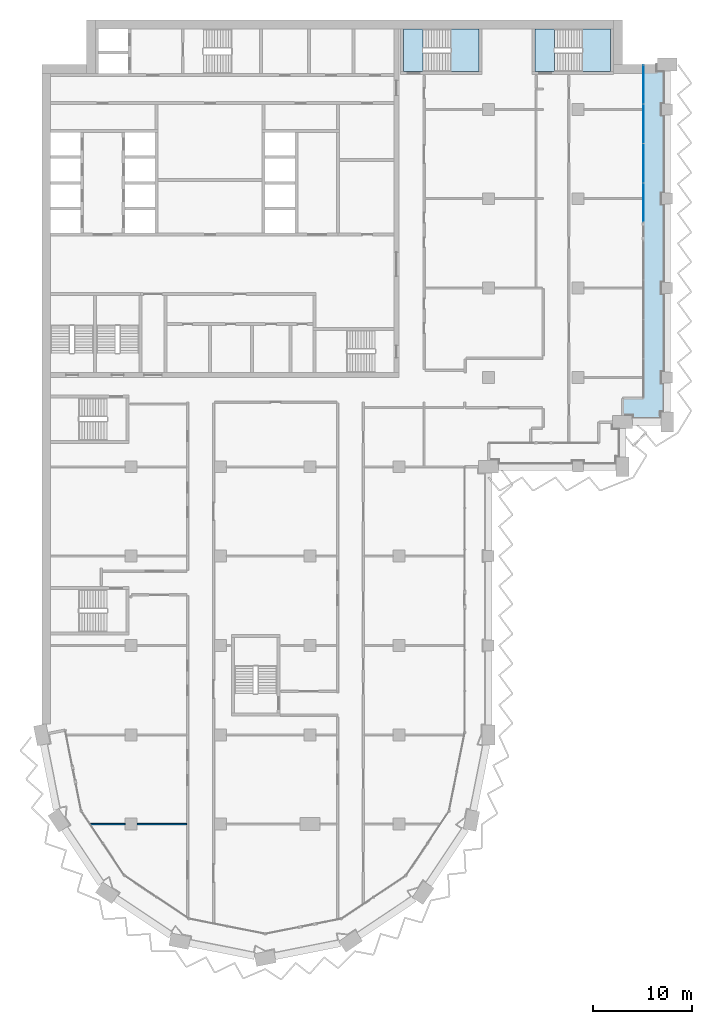
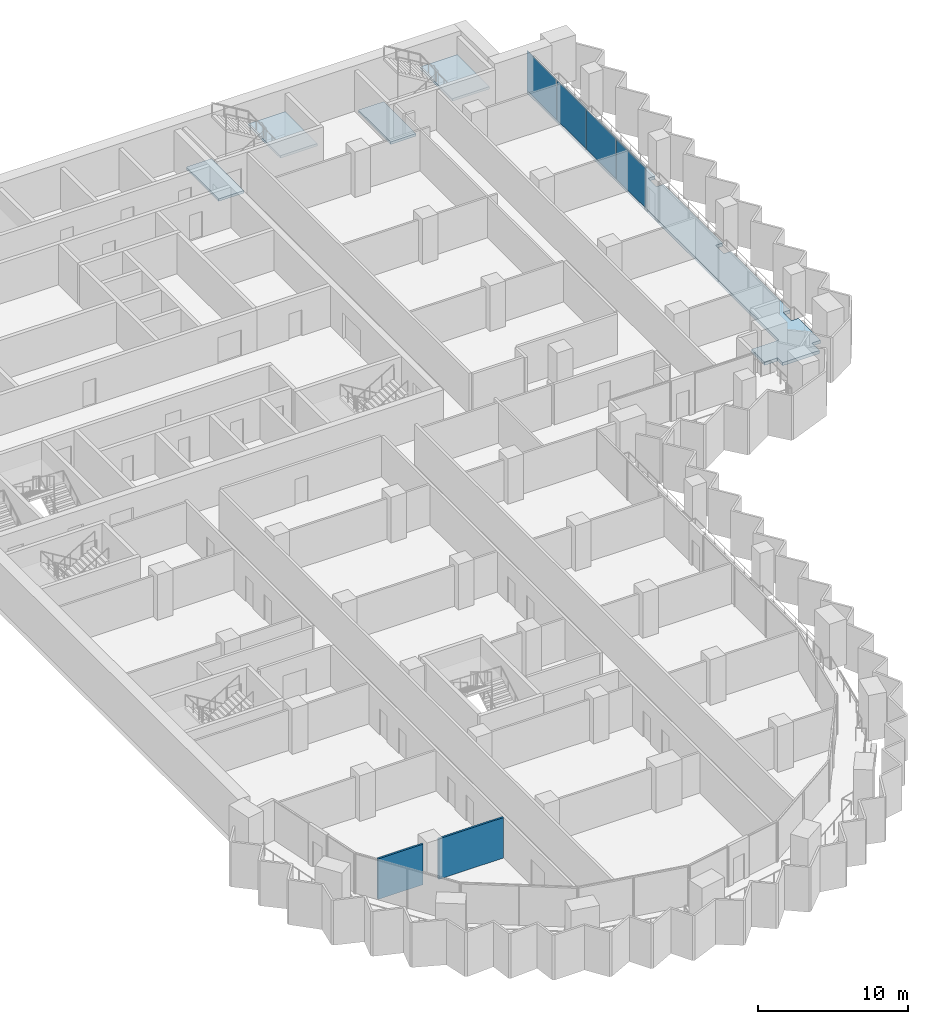
# One storey, part 7 of 22: 5 slabs, 4 plates, 2 walls, 3 elements without a shape of their own.
"""IFC4 building model written with IfcOpenShell, lengths in metres."""

from ifc_helpers import new_model, si_unit, direction, frame, frame_2d, origin, origin_2d, place, context, subcontext, project, spatial, polyline, rectangle, outline, extrude, material, layer, layer_set, type_object, element, aggregate, save


model = new_model("IFC4")

# Units and contexts
model_context = context("Model", 3, precision=1e-05, world=origin(), true_north=direction((0.0, 1.0)))
body_context = subcontext(model_context, "Body", "Model", "MODEL_VIEW")
ifc_project = project(units=[si_unit("LENGTHUNIT", "METRE"), si_unit("AREAUNIT", "SQUARE_METRE"), si_unit("VOLUMEUNIT", "CUBIC_METRE"), si_unit("PLANEANGLEUNIT", "RADIAN"), si_unit("MASSUNIT", "GRAM", prefix="KILO")], contexts=[model_context])

# Site, building, storey
site_placement = place(None, origin())
site = spatial("IfcSite", under=ifc_project, at=site_placement, CompositionType="ELEMENT")
building_placement = place(site_placement, origin())
building = spatial("IfcBuilding", under=site, at=building_placement, Name="Hunhe Ridgeline Campus", CompositionType="ELEMENT")
storey_placement = place(building_placement, frame((0.0, 0.0, 156.0)))
storey = spatial("IfcBuildingStorey", under=building, at=storey_placement, Name="L39", CompositionType="ELEMENT", Elevation=156.0)

# Curtain wall, plates
ifc_material_1 = material(Name="Aluminium 6063", Category="aluminium")
curtain_wall_type = type_object("IfcCurtainWallType", Name="Curtain wall CW-1", PredefinedType="NOTDEFINED", material=ifc_material_1)
curtain_wall_placement = place(storey_placement, origin())
curtain_wall = element("IfcCurtainWall", 1, at=curtain_wall_placement, inside=storey, type_object=curtain_wall_type, Name="Curtain wall 16", PredefinedType="NOTDEFINED")
ifc_material_2 = material(Name="Low-e laminated glass", Category="glass")
ifc_layer_1 = layer(ifc_material_2, 0.028076171875)
ifc_layer_set_1 = layer_set([ifc_layer_1], Name="Curtain wall glass panel 28 low-e laminated")
plate_type = type_object("IfcPlateType", Name="Curtain wall glass panel 28 low-e laminated", PredefinedType="CURTAIN_PANEL", material=ifc_layer_set_1)
plate_1_placement = place(storey_placement, frame((60.59912109375, 80.60302734375, 0.0), z_axis=(0.0, 0.0, 1.0), x_axis=(0.0, 1.0, 0.0)))
plate_1 = element("IfcPlate", 2, at=plate_1_placement, type_object=plate_type, Name="CW-1 panel 1", PredefinedType="CURTAIN_PANEL", context=body_context, shape_type="SweptSolid", body=[
    extrude(rectangle(XDim=3.884765625, YDim=0.028076171875, at=origin_2d()), origin(), (0.0, 0.0, 1.0), 3.239990234375),
])
plate_2_placement = place(storey_placement, frame((60.59912109375, 84.562744140625, 0.0), z_axis=(0.0, 0.0, 1.0), x_axis=(0.0, 1.0, 0.0)))
plate_2 = element("IfcPlate", 3, at=plate_2_placement, type_object=plate_type, Name="CW-1 panel 2", PredefinedType="CURTAIN_PANEL", context=body_context, shape_type="SweptSolid", body=[
    extrude(rectangle(XDim=3.914794921875, YDim=0.028076171875, at=origin_2d()), origin(), (0.0, 0.0, 1.0), 3.239990234375),
])
plate_3_placement = place(storey_placement, frame((60.59912109375, 88.53759765625, 0.0), z_axis=(0.0, 0.0, 1.0), x_axis=(0.0, 1.0, 0.0)))
plate_3 = element("IfcPlate", 4, at=plate_3_placement, type_object=plate_type, Name="CW-1 panel 3", PredefinedType="CURTAIN_PANEL", context=body_context, shape_type="SweptSolid", body=[
    extrude(rectangle(XDim=3.914794921875, YDim=0.028076171875, at=origin_2d()), origin(), (0.0, 0.0, 1.0), 3.239990234375),
])
plate_4_placement = place(storey_placement, frame((60.59912109375, 92.49755859375, 0.0), z_axis=(0.0, 0.0, 1.0), x_axis=(0.0, 1.0, 0.0)))
plate_4 = element("IfcPlate", 5, at=plate_4_placement, type_object=plate_type, Name="CW-1 panel 4", PredefinedType="CURTAIN_PANEL", context=body_context, shape_type="SweptSolid", body=[
    extrude(rectangle(XDim=3.884765625, YDim=0.028076171875, at=origin_2d()), origin(), (0.0, 0.0, 1.0), 3.239990234375),
])
aggregate(curtain_wall, [plate_1, plate_2, plate_3, plate_4])

# Slab
ifc_material_3 = material(Name="Concrete C40", Category="concrete")
ifc_layer_2 = layer(ifc_material_3, 0.25)
ifc_layer_set_2 = layer_set([ifc_layer_2], Name="Loggia slab 250 Concrete C40")
slab_type_1 = type_object("IfcSlabType", Name="Loggia slab 250 Concrete C40", PredefinedType="FLOOR", material=ifc_layer_set_2)
slab_1_placement = place(storey_placement, frame((0.0, 0.0, -0.25)))
element("IfcSlab", 6, at=slab_1_placement, inside=storey, type_object=slab_type_1, Name="Loggia slab 3", PredefinedType="FLOOR", context=body_context, shape_type="SweptSolid", body=[
    extrude(outline(polyline([(58.5, 59.14990234375), (59.5, 59.14990234375), (59.5, 58.5), (62.35009765625, 58.5), (62.35009765625, 59.5), (63.0, 59.5), (63.0, 62.449951171875), (62.449951171875, 62.449951171875), (62.449951171875, 63.550048828125), (63.0, 63.550048828125), (63.0, 71.449951171875), (62.449951171875, 71.449951171875), (62.449951171875, 72.550048828125), (63.0, 72.550048828125), (63.0, 80.449951171875), (62.449951171875, 80.449951171875), (62.449951171875, 81.550048828125), (63.0, 81.550048828125), (63.0, 89.449951171875), (62.449951171875, 89.449951171875), (62.449951171875, 90.550048828125), (63.0, 90.550048828125), (63.0, 93.85009765625), (62.0, 93.85009765625), (62.0, 94.5), (60.60009765625, 94.5), (60.60009765625, 60.89990234375), (58.5, 60.89990234375), (58.5, 59.14990234375)])), origin(), (0.0, 0.0, 1.0), 0.25),
])

# Stair, slab
stair_type = type_object("IfcStairType", Name="Reinforced concrete dog-leg stair 1950 Concrete C40", PredefinedType="HALF_TURN_STAIR", material=ifc_material_3)
stair_1_placement = place(storey_placement, origin())
stair_1 = element("IfcStair", 7, at=stair_1_placement, inside=storey, type_object=stair_type, Name="L39 E1", PredefinedType="HALF_TURN_STAIR")
ifc_layer_3 = layer(ifc_material_3, 0.199951171875)
ifc_layer_set_3 = layer_set([ifc_layer_3], Name="Reinforced concrete stair landing 200 Concrete C40")
slab_type_2 = type_object("IfcSlabType", Name="Reinforced concrete stair landing 200 Concrete C40", PredefinedType="LANDING", material=ifc_layer_set_3)
slab_2_placement = place(storey_placement, frame((0.0, 0.0, 1.64990234375)))
slab_2 = element("IfcSlab", 8, at=slab_2_placement, type_object=slab_type_2, Name="ST5 landing 1", PredefinedType="LANDING", context=body_context, shape_type="SweptSolid", body=[
    extrude(outline(polyline([(41.199951171875, 93.800048828125), (44.050048828125, 93.800048828125), (44.050048828125, 98.10009765625), (41.199951171875, 98.10009765625), (41.199951171875, 93.800048828125)])), origin(), (0.0, 0.0, 1.0), 0.2001953125),
])
aggregate(stair_1, [slab_2])

# Slab
slab_3_placement = place(storey_placement, frame((0.0, 0.0, -0.199951171875)))
element("IfcSlab", 9, at=slab_3_placement, inside=storey, type_object=slab_type_2, Name="L39 stair E1 floor landing", PredefinedType="LANDING", context=body_context, shape_type="SweptSolid", body=[
    extrude(outline(polyline([(36.449951171875, 93.800048828125), (38.39990234375, 93.800048828125), (38.39990234375, 98.10009765625), (36.449951171875, 98.10009765625), (36.449951171875, 93.800048828125)])), origin(), (0.0, 0.0, 1.0), 0.199951171875),
])

# Stair, slab
stair_2_placement = place(storey_placement, origin())
stair_2 = element("IfcStair", 10, at=stair_2_placement, inside=storey, type_object=stair_type, Name="L39 E2", PredefinedType="HALF_TURN_STAIR")
slab_4_placement = place(storey_placement, frame((0.0, 0.0, 1.64990234375)))
slab_4 = element("IfcSlab", 11, at=slab_4_placement, type_object=slab_type_2, Name="ST6 landing 1", PredefinedType="LANDING", context=body_context, shape_type="SweptSolid", body=[
    extrude(outline(polyline([(54.449951171875, 93.800048828125), (57.300048828125, 93.800048828125), (57.300048828125, 98.10009765625), (54.449951171875, 98.10009765625), (54.449951171875, 93.800048828125)])), origin(), (0.0, 0.0, 1.0), 0.2001953125),
])
aggregate(stair_2, [slab_4])

# Slab
slab_5_placement = place(storey_placement, frame((0.0, 0.0, -0.199951171875)))
element("IfcSlab", 12, at=slab_5_placement, inside=storey, type_object=slab_type_2, Name="L39 stair E2 floor landing", PredefinedType="LANDING", context=body_context, shape_type="SweptSolid", body=[
    extrude(outline(polyline([(49.699951171875, 93.800048828125), (51.64990234375, 93.800048828125), (51.64990234375, 98.10009765625), (49.699951171875, 98.10009765625), (49.699951171875, 93.800048828125)])), origin(), (0.0, 0.0, 1.0), 0.199951171875),
])

# Walls
ifc_material_4 = material(Name="Gypsum board partition")
ifc_layer_4 = layer(ifc_material_4, 0.14990234375)
ifc_layer_set_4 = layer_set([ifc_layer_4], Name="Room partition 150 gypsum board on steel studs")
wall_type = type_object("IfcWallType", Name="Room partition 150 gypsum board on steel studs", PredefinedType="PARTITIONING", material=ifc_layer_set_4)
wall_1_placement = place(storey_placement, frame((4.925537109375, 18.0, 0.0), z_axis=(0.0, 0.0, 1.0), x_axis=(1.0, 0.0, 0.0)))
element("IfcWall", 13, at=wall_1_placement, inside=storey, type_object=wall_type, Name="F-L39-wall-001", PredefinedType="PARTITIONING", context=body_context, shape_type="SweptSolid", body=[
    extrude(rectangle(XDim=3.474365234375, YDim=0.14990234375, at=frame_2d((1.7373046875, 0.0))), origin(), (0.0, 0.0, 1.0), 3.300048828125),
])
wall_2_placement = place(storey_placement, frame((9.60009765625, 18.0, 0.0), z_axis=(0.0, 0.0, 1.0), x_axis=(1.0, 0.0, 0.0)))
element("IfcWall", 14, at=wall_2_placement, inside=storey, type_object=wall_type, Name="F-L39-wall-002", PredefinedType="PARTITIONING", context=body_context, shape_type="SweptSolid", body=[
    extrude(rectangle(XDim=5.0, YDim=0.14990234375, at=frame_2d((2.5, 0.0))), origin(), (0.0, 0.0, 1.0), 3.300048828125),
])

save(model, "model.ifc")
